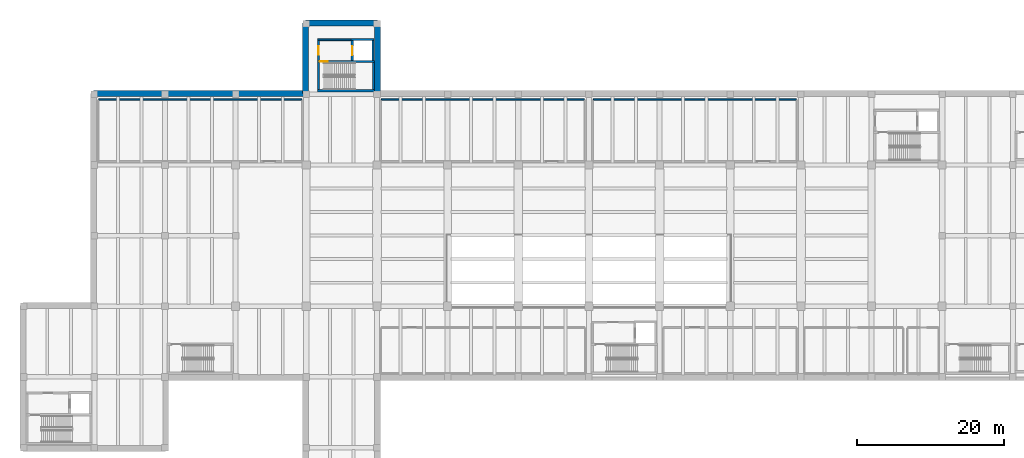
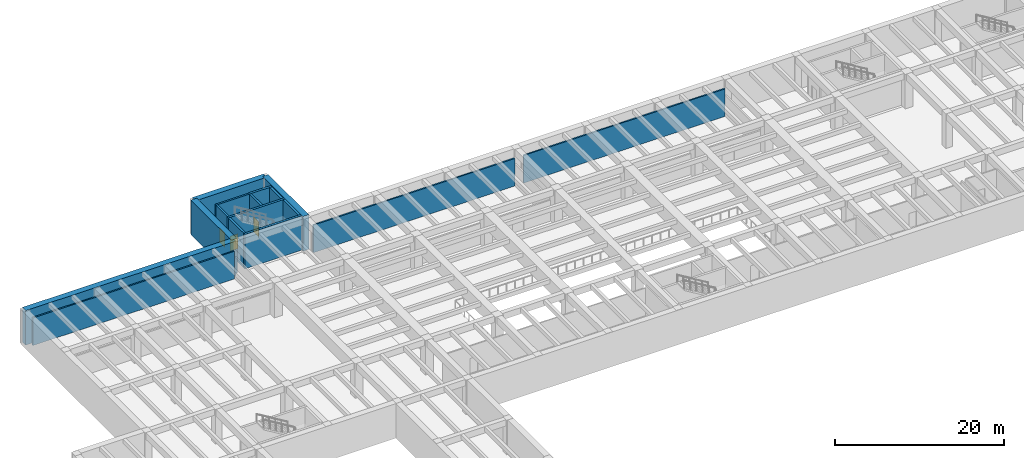
# One storey, part 8 of 19: 16 walls, 3 doors, 3 openings.
"""IFC4 building model written with IfcOpenShell, lengths in metres."""

from ifc_helpers import new_model, si_unit, direction, frame, frame_2d, origin, place, context, subcontext, project, spatial, rectangle, extrude, material, layer, layer_set, type_object, element, fill, save


model = new_model("IFC4")

# Units and contexts
model_context = context("Model", 3, precision=1e-05, world=origin(), true_north=direction((0.0, 1.0)))
body_context = subcontext(model_context, "Body", "Model", "MODEL_VIEW")
ifc_project = project(units=[si_unit("LENGTHUNIT", "METRE"), si_unit("AREAUNIT", "SQUARE_METRE"), si_unit("VOLUMEUNIT", "CUBIC_METRE"), si_unit("PLANEANGLEUNIT", "RADIAN"), si_unit("MASSUNIT", "GRAM", prefix="KILO")], contexts=[model_context])

# Site, building, storey
site_placement = place(None, origin())
site = spatial("IfcSite", under=ifc_project, at=site_placement, CompositionType="ELEMENT")
building_placement = place(site_placement, origin())
building = spatial("IfcBuilding", under=site, at=building_placement, Name="Coralgate Yard Interchange", CompositionType="ELEMENT")
storey_placement = place(building_placement, frame((0.0, 0.0, -5.39990234375)))
storey = spatial("IfcBuildingStorey", under=building, at=storey_placement, Name="B1", CompositionType="ELEMENT", Elevation=-5.39990234375)

# Wall
ifc_material_1 = material(Name="Concrete C40/50", Category="concrete")
ifc_layer_1 = layer(ifc_material_1, 0.300048828125)
ifc_layer_set_1 = layer_set([ifc_layer_1], Name="Concrete C40/50")
wall_type_1 = type_object("IfcWallType", Name="WAL-CW300", PredefinedType="SHEAR", material=ifc_layer_set_1)
wall_1_placement = place(storey_placement, frame((49.5, 77.300048828125, 0.0), z_axis=(0.0, 0.0, 1.0), x_axis=(1.0, 0.0, 0.0)))
element("IfcWall", 1, at=wall_1_placement, inside=storey, type_object=wall_type_1, Name="C5 B1 stair south shear wall", PredefinedType="SHEAR", context=body_context, shape_type="SweptSolid", body=[
    extrude(rectangle(XDim=7.800048828125, YDim=0.300048828125, at=frame_2d((3.89990234375, 0.0))), origin(), (0.0, 0.0, 1.0), 5.0),
])

# Wall, opening, door
wall_2_placement = place(storey_placement, frame((57.300048828125, 81.25, 0.0), z_axis=(0.0, 0.0, 1.0), x_axis=(-1.0, 0.0, 0.0)))
wall_2 = element("IfcWall", 2, at=wall_2_placement, inside=storey, type_object=wall_type_1, Name="C5 B1 stair north shear wall", PredefinedType="SHEAR", context=body_context, shape_type="SweptSolid", body=[
    extrude(rectangle(XDim=7.800048828125, YDim=0.300048828125, at=frame_2d((3.89990234375, 0.0))), origin(), (0.0, 0.0, 1.0), 5.0),
])
opening_1_placement = place(wall_2_placement, frame((6.39990234375, 0.0, 0.0)))
opening_1 = element("IfcOpeningElement", 3, at=opening_1_placement, cuts=wall_2, Name="Opening FD-1", PredefinedType="OPENING", context=body_context, shape_type="SweptSolid", body=[
    extrude(rectangle(XDim=1.10009765625, YDim=2.14990234375, at=frame_2d((0.550048828125, 1.074951171875))), frame((0.0, 0.159912109375, 0.0), z_axis=(0.0, -1.0, 0.0), x_axis=(1.0, 0.0, 0.0)), (0.0, 0.0, 1.0), 0.320068359375),
])
ifc_material_2 = material(Name="Powder-coated steel fire door assembly", Category="steel")
door_type_1 = type_object("IfcDoorType", Name="DOR-FD-1", OperationType="NOTDEFINED", PredefinedType="DOOR", material=ifc_material_2)
door_1_placement = place(opening_1_placement, origin())
door_1 = element("IfcDoor", 4, at=door_1_placement, inside=storey, type_object=door_type_1, Name="C5 B1 stair fire door", OperationType="SINGLE_SWING_RIGHT", OverallHeight=2.14990234375, OverallWidth=1.10009765625, PredefinedType="DOOR", context=body_context, shape_type="SweptSolid", body=[
    extrude(rectangle(XDim=1.10009765625, YDim=2.14990234375, at=frame_2d((0.550048828125, 1.074951171875))), frame((0.0, 0.02490234375, 0.0), z_axis=(0.0, -1.0, 0.0), x_axis=(1.0, 0.0, 0.0)), (0.0, 0.0, 1.0), 0.050048828125),
])
fill(opening_1, door_1)

# Walls
for number, where, z_axis, x_axis, name in (
    (5, (49.64990234375, 77.449951171875, 0.0), (0.0, 0.0, 1.0), (0.0, 1.0, 0.0), "C5 B1 stair west shear wall"),
    (6, (57.14990234375, 81.10009765625, 0.0), (0.0, 0.0, 1.0), (0.0, -1.0, 0.0), "C5 B1 stair east shear wall"),
):
    element("IfcWall", number, at=place(storey_placement, frame(where, z_axis=z_axis, x_axis=x_axis)), inside=storey, type_object=wall_type_1, Name=name, PredefinedType="SHEAR", context=body_context, shape_type="SweptSolid", body=[
        extrude(rectangle(XDim=3.650146484375, YDim=0.300048828125, at=frame_2d((1.8251953125, 0.0))), origin(), (0.0, 0.0, 1.0), 5.0),
    ])

# Wall, opening, door
wall_3_placement = place(storey_placement, frame((54.25, 84.10009765625, 0.0), z_axis=(0.0, 0.0, 1.0), x_axis=(0.0, -1.0, 0.0)))
wall_3 = element("IfcWall", 7, at=wall_3_placement, inside=storey, type_object=wall_type_1, Name="C5 B1 lift front shear wall", PredefinedType="SHEAR", context=body_context, shape_type="SweptSolid", body=[
    extrude(rectangle(XDim=2.7001953125, YDim=0.300048828125, at=frame_2d((1.35009765625, 0.0))), origin(), (0.0, 0.0, 1.0), 5.0),
])
opening_2_placement = place(wall_3_placement, frame((0.739990234375, 0.0, 0.0)))
opening_2 = element("IfcOpeningElement", 8, at=opening_2_placement, cuts=wall_3, Name="Opening LD-3", PredefinedType="OPENING", context=body_context, shape_type="SweptSolid", body=[
    extrude(rectangle(XDim=1.219970703125, YDim=2.14990234375, at=frame_2d((0.60986328125, 1.074951171875))), frame((0.0, 0.159912109375, 0.0), z_axis=(0.0, -1.0, 0.0), x_axis=(1.0, 0.0, 0.0)), (0.0, 0.0, 1.0), 0.320068359375),
])
ifc_material_3 = material(Name="Brushed stainless steel concourse lift landing door", Category="steel")
door_type_2 = type_object("IfcDoorType", Name="DOR-LD-3", OperationType="DOUBLE_DOOR_SLIDING", PredefinedType="DOOR", material=ifc_material_3)
door_2_placement = place(opening_2_placement, frame((1.219970703125, 0.0, 0.0), z_axis=(0.0, 0.0, 1.0), x_axis=(-1.0, 0.0, 0.0)))
door_2 = element("IfcDoor", 9, at=door_2_placement, inside=storey, type_object=door_type_2, Name="LF-03 B1 sliding lift landing door", OperationType="DOUBLE_DOOR_SLIDING", OverallHeight=2.14990234375, OverallWidth=1.219970703125, PredefinedType="DOOR", context=body_context, shape_type="SweptSolid", body=[
    extrude(rectangle(XDim=1.219970703125, YDim=2.14990234375, at=frame_2d((0.60986328125, 1.074951171875))), frame((0.0, 0.02490234375, 0.0), z_axis=(0.0, -1.0, 0.0), x_axis=(1.0, 0.0, 0.0)), (0.0, 0.0, 1.0), 0.050048828125),
])
fill(opening_2, door_2)

# Walls
wall_4_placement = place(storey_placement, frame((57.050048828125, 81.39990234375, 0.0), z_axis=(0.0, 0.0, 1.0), x_axis=(0.0, 1.0, 0.0)))
element("IfcWall", 10, at=wall_4_placement, inside=storey, type_object=wall_type_1, Name="C5 B1 lift rear shear wall", PredefinedType="SHEAR", context=body_context, shape_type="SweptSolid", body=[
    extrude(rectangle(XDim=2.7001953125, YDim=0.300048828125, at=frame_2d((1.35009765625, 0.0))), origin(), (0.0, 0.0, 1.0), 5.0),
])
wall_5_placement = place(storey_placement, frame((54.10009765625, 84.25, 0.0), z_axis=(0.0, 0.0, 1.0), x_axis=(1.0, 0.0, 0.0)))
element("IfcWall", 11, at=wall_5_placement, inside=storey, type_object=wall_type_1, Name="C5 B1 lift north shear wall", PredefinedType="SHEAR", context=body_context, shape_type="SweptSolid", body=[
    extrude(rectangle(XDim=3.099853515625, YDim=0.300048828125, at=frame_2d((1.5498046875, 0.0))), origin(), (0.0, 0.0, 1.0), 5.0),
])
ifc_layer_2 = layer(ifc_material_1, 0.800048828125)
ifc_layer_set_2 = layer_set([ifc_layer_2], Name="Concrete C40/50")
wall_type_2 = type_object("IfcWallType", Name="WAL-DW800", PredefinedType="SOLIDWALL", material=ifc_layer_set_2)
wall_6_placement = place(storey_placement, frame((19.10009765625, 76.89990234375, 0.0), z_axis=(0.0, 0.0, 1.0), x_axis=(1.0, 0.0, 0.0)))
element("IfcWall", 12, at=wall_6_placement, inside=storey, type_object=wall_type_2, Name="B1 diaphragm retaining wall 7", PredefinedType="SOLIDWALL", context=body_context, shape_type="SweptSolid", body=[
    extrude(rectangle(XDim=28.7998046875, YDim=0.800048828125, at=frame_2d((14.39990234375, 0.0))), origin(), (0.0, 0.0, 1.0), 5.0),
])
wall_7_placement = place(storey_placement, frame((47.89990234375, 76.89990234375, 0.0), z_axis=(0.0, 0.0, 1.0), x_axis=(0.0, 1.0, 0.0)))
element("IfcWall", 13, at=wall_7_placement, inside=storey, type_object=wall_type_2, Name="B1 diaphragm retaining wall 8", PredefinedType="SOLIDWALL", context=body_context, shape_type="SweptSolid", body=[
    extrude(rectangle(XDim=9.60009765625, YDim=0.800048828125, at=frame_2d((4.800048828125, 0.0))), origin(), (0.0, 0.0, 1.0), 5.0),
])
wall_8_placement = place(storey_placement, frame((47.89990234375, 86.5, 0.0), z_axis=(0.0, 0.0, 1.0), x_axis=(1.0, 0.0, 0.0)))
element("IfcWall", 14, at=wall_8_placement, inside=storey, type_object=wall_type_2, Name="B1 diaphragm retaining wall 9", PredefinedType="SOLIDWALL", context=body_context, shape_type="SweptSolid", body=[
    extrude(rectangle(XDim=9.800048828125, YDim=0.800048828125, at=frame_2d((4.89990234375, 0.0))), origin(), (0.0, 0.0, 1.0), 5.0),
])
wall_9_placement = place(storey_placement, frame((57.699951171875, 86.5, 0.0), z_axis=(0.0, 0.0, 1.0), x_axis=(0.0, -1.0, 0.0)))
element("IfcWall", 15, at=wall_9_placement, inside=storey, type_object=wall_type_2, Name="B1 diaphragm retaining wall 10", PredefinedType="SOLIDWALL", context=body_context, shape_type="SweptSolid", body=[
    extrude(rectangle(XDim=9.60009765625, YDim=0.800048828125, at=frame_2d((4.800048828125, 0.0))), origin(), (0.0, 0.0, 1.0), 5.0),
])
ifc_material_4 = material(Name="Concrete blockwork masonry", Category="masonry")
ifc_layer_3 = layer(ifc_material_4, 0.199951171875)
ifc_layer_set_3 = layer_set([ifc_layer_3], Name="Concrete blockwork masonry")
wall_type_3 = type_object("IfcWallType", Name="WAL-PW-200", PredefinedType="PARTITIONING", material=ifc_layer_set_3)
wall_10_placement = place(storey_placement, frame((19.800048828125, 76.10009765625, 0.0), z_axis=(0.0, 0.0, 1.0), x_axis=(1.0, 0.0, 0.0)))
element("IfcWall", 16, at=wall_10_placement, inside=storey, type_object=wall_type_3, Name="Traction Rectifier Substation partition N", PredefinedType="PARTITIONING", context=body_context, shape_type="SweptSolid", body=[
    extrude(rectangle(XDim=27.599853515625, YDim=0.199951171875, at=frame_2d((13.7998046875, 0.0))), origin(), (0.0, 0.0, 1.0), 3.989990234375),
])
for number, where, z_axis, x_axis, name in (
    (17, (58.199951171875, 76.10009765625, 0.0), (0.0, 0.0, 1.0), (1.0, 0.0, 0.0), "11 kV High-Voltage Switchgear Room partition N"),
    (18, (87.0, 76.10009765625, 0.0), (0.0, 0.0, 1.0), (1.0, 0.0, 0.0), "Tunnel Ventilation Exhaust Plant partition N"),
):
    element("IfcWall", number, at=place(storey_placement, frame(where, z_axis=z_axis, x_axis=x_axis)), inside=storey, type_object=wall_type_3, Name=name, PredefinedType="PARTITIONING", context=body_context, shape_type="SweptSolid", body=[
        extrude(rectangle(XDim=27.60009765625, YDim=0.199951171875, at=frame_2d((13.800048828125, 0.0))), origin(), (0.0, 0.0, 1.0), 3.989990234375),
    ])
ifc_layer_4 = layer(ifc_material_1, 0.25)
ifc_layer_set_4 = layer_set([ifc_layer_4], Name="Concrete C40/50")
wall_type_4 = type_object("IfcWallType", Name="WAL-SW250", PredefinedType="SHEAR", material=ifc_layer_set_4)
wall_11_placement = place(storey_placement, frame((54.10009765625, 84.22509765625, 0.0), z_axis=(0.0, 0.0, 1.0), x_axis=(-1.0, 0.0, 0.0)))
element("IfcWall", 19, at=wall_11_placement, inside=storey, type_object=wall_type_4, Name="C5 B1 lobby north fire wall", PredefinedType="SHEAR", context=body_context, shape_type="SweptSolid", body=[
    extrude(rectangle(XDim=4.5751953125, YDim=0.25, at=frame_2d((2.28759765625, 0.0))), origin(), (0.0, 0.0, 1.0), 5.0),
])

# Wall, opening, door
wall_12_placement = place(storey_placement, frame((49.64990234375, 81.39990234375, 0.0), z_axis=(0.0, 0.0, 1.0), x_axis=(0.0, 1.0, 0.0)))
wall_12 = element("IfcWall", 20, at=wall_12_placement, inside=storey, type_object=wall_type_4, Name="C5 B1 lobby west fire wall", PredefinedType="SHEAR", context=body_context, shape_type="SweptSolid", body=[
    extrude(rectangle(XDim=2.7001953125, YDim=0.25, at=frame_2d((1.35009765625, 0.0))), origin(), (0.0, 0.0, 1.0), 5.0),
])
opening_3_placement = place(wall_12_placement, frame((0.75, 0.0, 0.0)))
opening_3 = element("IfcOpeningElement", 21, at=opening_3_placement, cuts=wall_12, Name="Opening FD-2", PredefinedType="OPENING", context=body_context, shape_type="SweptSolid", body=[
    extrude(rectangle(XDim=1.199951171875, YDim=2.14990234375, at=frame_2d((0.60009765625, 1.074951171875))), frame((0.0, 0.135009765625, 0.0), z_axis=(0.0, -1.0, 0.0), x_axis=(1.0, 0.0, 0.0)), (0.0, 0.0, 1.0), 0.27001953125),
])
door_type_3 = type_object("IfcDoorType", Name="DOR-FD-2", OperationType="NOTDEFINED", PredefinedType="DOOR", material=ifc_material_2)
door_3_placement = place(opening_3_placement, frame((1.199951171875, 0.0, 0.0), z_axis=(0.0, 0.0, 1.0), x_axis=(-1.0, 0.0, 0.0)))
door_3 = element("IfcDoor", 22, at=door_3_placement, inside=storey, type_object=door_type_3, Name="C5 B1 lobby fire door", OperationType="SINGLE_SWING_LEFT", OverallHeight=2.14990234375, OverallWidth=1.199951171875, PredefinedType="DOOR", context=body_context, shape_type="SweptSolid", body=[
    extrude(rectangle(XDim=1.199951171875, YDim=2.14990234375, at=frame_2d((0.60009765625, 1.074951171875))), frame((0.0, 0.02490234375, 0.0), z_axis=(0.0, -1.0, 0.0), x_axis=(1.0, 0.0, 0.0)), (0.0, 0.0, 1.0), 0.050048828125),
])
fill(opening_3, door_3)

save(model, "model.ifc")
